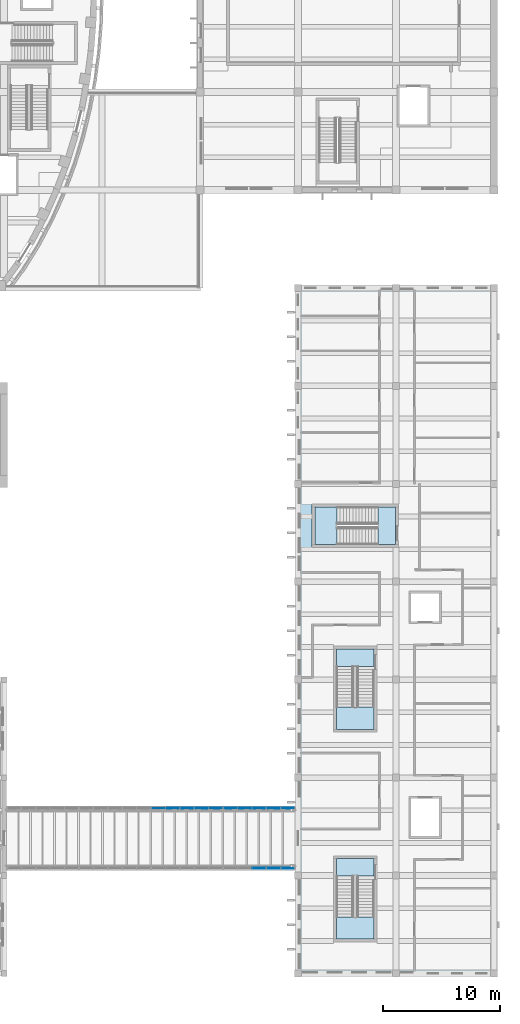
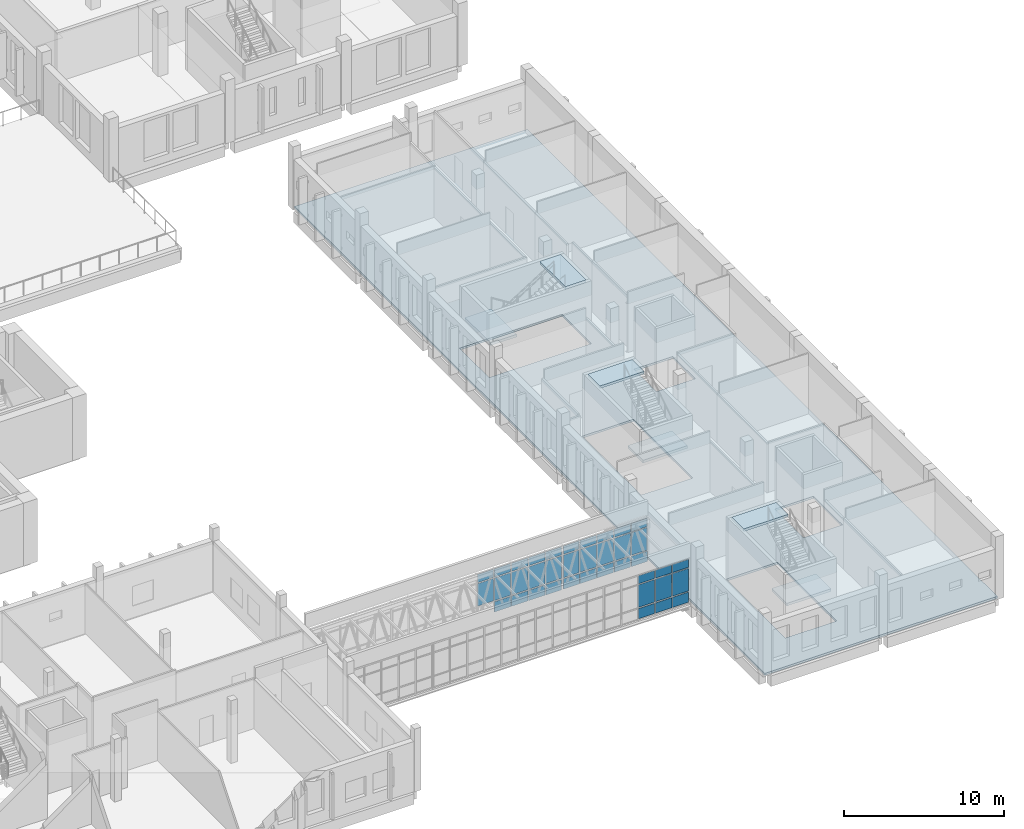
# One storey, part 45 of 119: 38 plates, 7 slabs, 6 elements without a shape of their own.
"""IFC4 building model written with IfcOpenShell, lengths in metres."""

from ifc_helpers import new_model, si_unit, direction, frame, origin, origin_2d, place, context, subcontext, project, spatial, polyline, rectangle, outline, extrude, material, layer, layer_set, type_object, element, aggregate, save


model = new_model("IFC4")

# Units and contexts
model_context = context("Model", 3, precision=1e-05, world=origin(), true_north=direction((0.0, 1.0)))
body_context = subcontext(model_context, "Body", "Model", "MODEL_VIEW")
ifc_project = project(units=[si_unit("LENGTHUNIT", "METRE"), si_unit("AREAUNIT", "SQUARE_METRE"), si_unit("VOLUMEUNIT", "CUBIC_METRE"), si_unit("PLANEANGLEUNIT", "RADIAN"), si_unit("MASSUNIT", "GRAM", prefix="KILO")], contexts=[model_context])

# Site, building, storey
site_placement = place(None, origin())
site = spatial("IfcSite", under=ifc_project, at=site_placement, CompositionType="ELEMENT")
building_placement = place(site_placement, origin())
building = spatial("IfcBuilding", under=site, at=building_placement, Name="Larchfold Concert Hall", CompositionType="ELEMENT")
storey_placement = place(building_placement, frame((0.0, 0.0, 4.800048828125)))
storey = spatial("IfcBuildingStorey", under=building, at=storey_placement, Name="L01", CompositionType="ELEMENT", Elevation=4.800048828125)

# Curtain wall, plates
ifc_material_1 = material(Name="Anodised graphite aluminium curtain wall", Category="aluminium")
ifc_layer_1 = layer(ifc_material_1, 0.14990234375)
ifc_layer_set_1 = layer_set([ifc_layer_1], Name="Anodised graphite aluminium curtain wall")
curtain_wall_type = type_object("IfcCurtainWallType", Name="Curtain wall WG", PredefinedType="NOTDEFINED", material=ifc_layer_set_1)
curtain_wall_1_placement = place(storey_placement, origin())
curtain_wall_1 = element("IfcCurtainWall", 1, at=curtain_wall_1_placement, inside=storey, type_object=curtain_wall_type, Name="Curtain wall CW0306", PredefinedType="NOTDEFINED")
ifc_material_2 = material(Name="Insulated glazing unit, glass", Category="glass")
ifc_layer_2 = layer(ifc_material_2, 0.028076171875)
ifc_layer_set_2 = layer_set([ifc_layer_2], Name="Insulated glazing unit, glass")
plate_type_1 = type_object("IfcPlateType", Name="Glass panel 28", PredefinedType="CURTAIN_PANEL", material=ifc_layer_set_2)
plate_1_placement = place(storey_placement, frame((81.255615234375, 9.626708984375, 0.93994140625), z_axis=(0.0, 0.0, 1.0), x_axis=(1.0, 0.0, 0.0)))
plate_1 = element("IfcPlate", 2, at=plate_1_placement, type_object=plate_type_1, Name="CW0306 panel 3.2", PredefinedType="CURTAIN_PANEL", context=body_context, shape_type="SweptSolid", body=[
    extrude(rectangle(XDim=1.17578125, YDim=0.028076171875, at=origin_2d()), origin(), (0.0, 0.0, 1.0), 1.719970703125),
])
plate_2_placement = place(storey_placement, frame((81.255615234375, 9.626708984375, 2.740234375), z_axis=(0.0, 0.0, 1.0), x_axis=(1.0, 0.0, 0.0)))
plate_2 = element("IfcPlate", 3, at=plate_2_placement, type_object=plate_type_1, Name="CW0306 panel 3.3", PredefinedType="CURTAIN_PANEL", context=body_context, shape_type="SweptSolid", body=[
    extrude(rectangle(XDim=1.17578125, YDim=0.028076171875, at=origin_2d()), origin(), (0.0, 0.0, 1.0), 0.619873046875),
])
plate_3_placement = place(storey_placement, frame((82.491455078125, 9.626708984375, 0.93994140625), z_axis=(0.0, 0.0, 1.0), x_axis=(1.0, 0.0, 0.0)))
plate_3 = element("IfcPlate", 4, at=plate_3_placement, type_object=plate_type_1, Name="CW0306 panel 4.2", PredefinedType="CURTAIN_PANEL", context=body_context, shape_type="SweptSolid", body=[
    extrude(rectangle(XDim=1.17578125, YDim=0.028076171875, at=origin_2d()), origin(), (0.0, 0.0, 1.0), 1.719970703125),
])
plate_4_placement = place(storey_placement, frame((82.491455078125, 9.626708984375, 2.740234375), z_axis=(0.0, 0.0, 1.0), x_axis=(1.0, 0.0, 0.0)))
plate_4 = element("IfcPlate", 5, at=plate_4_placement, type_object=plate_type_1, Name="CW0306 panel 4.3", PredefinedType="CURTAIN_PANEL", context=body_context, shape_type="SweptSolid", body=[
    extrude(rectangle(XDim=1.17578125, YDim=0.028076171875, at=origin_2d()), origin(), (0.0, 0.0, 1.0), 0.619873046875),
])
plate_5_placement = place(storey_placement, frame((83.712158203125, 9.626708984375, 0.93994140625), z_axis=(0.0, 0.0, 1.0), x_axis=(1.0, 0.0, 0.0)))
plate_5 = element("IfcPlate", 6, at=plate_5_placement, type_object=plate_type_1, Name="CW0306 panel 5.2", PredefinedType="CURTAIN_PANEL", context=body_context, shape_type="SweptSolid", body=[
    extrude(rectangle(XDim=1.145751953125, YDim=0.028076171875, at=origin_2d()), origin(), (0.0, 0.0, 1.0), 1.719970703125),
])
plate_6_placement = place(storey_placement, frame((83.712158203125, 9.626708984375, 2.740234375), z_axis=(0.0, 0.0, 1.0), x_axis=(1.0, 0.0, 0.0)))
plate_6 = element("IfcPlate", 7, at=plate_6_placement, type_object=plate_type_1, Name="CW0306 panel 5.3", PredefinedType="CURTAIN_PANEL", context=body_context, shape_type="SweptSolid", body=[
    extrude(rectangle(XDim=1.145751953125, YDim=0.028076171875, at=origin_2d()), origin(), (0.0, 0.0, 1.0), 0.619873046875),
])

curtain_wall_2_placement = place(storey_placement, origin())
curtain_wall_2 = element("IfcCurtainWall", 8, at=curtain_wall_2_placement, inside=storey, type_object=curtain_wall_type, Name="Curtain wall CW0309", PredefinedType="NOTDEFINED")
plate_7_placement = place(storey_placement, frame((72.6201171875, 14.7734375, 0.93994140625), z_axis=(0.0, 0.0, 1.0), x_axis=(1.0, 0.0, 0.0)))
plate_7 = element("IfcPlate", 9, at=plate_7_placement, type_object=plate_type_1, Name="CW0309 panel 1.2", PredefinedType="CURTAIN_PANEL", context=body_context, shape_type="SweptSolid", body=[
    extrude(rectangle(XDim=1.145751953125, YDim=0.028076171875, at=origin_2d()), origin(), (0.0, 0.0, 1.0), 1.719970703125),
])
plate_8_placement = place(storey_placement, frame((72.6201171875, 14.7734375, 2.740234375), z_axis=(0.0, 0.0, 1.0), x_axis=(1.0, 0.0, 0.0)))
plate_8 = element("IfcPlate", 10, at=plate_8_placement, type_object=plate_type_1, Name="CW0309 panel 1.3", PredefinedType="CURTAIN_PANEL", context=body_context, shape_type="SweptSolid", body=[
    extrude(rectangle(XDim=1.145751953125, YDim=0.028076171875, at=origin_2d()), origin(), (0.0, 0.0, 1.0), 0.619873046875),
])
plate_9_placement = place(storey_placement, frame((73.841064453125, 14.7734375, 0.93994140625), z_axis=(0.0, 0.0, 1.0), x_axis=(1.0, 0.0, 0.0)))
plate_9 = element("IfcPlate", 11, at=plate_9_placement, type_object=plate_type_1, Name="CW0309 panel 2.2", PredefinedType="CURTAIN_PANEL", context=body_context, shape_type="SweptSolid", body=[
    extrude(rectangle(XDim=1.17578125, YDim=0.028076171875, at=origin_2d()), origin(), (0.0, 0.0, 1.0), 1.719970703125),
])
plate_10_placement = place(storey_placement, frame((73.841064453125, 14.7734375, 2.740234375), z_axis=(0.0, 0.0, 1.0), x_axis=(1.0, 0.0, 0.0)))
plate_10 = element("IfcPlate", 12, at=plate_10_placement, type_object=plate_type_1, Name="CW0309 panel 2.3", PredefinedType="CURTAIN_PANEL", context=body_context, shape_type="SweptSolid", body=[
    extrude(rectangle(XDim=1.17578125, YDim=0.028076171875, at=origin_2d()), origin(), (0.0, 0.0, 1.0), 0.619873046875),
])
plate_11_placement = place(storey_placement, frame((75.076904296875, 14.7734375, 0.93994140625), z_axis=(0.0, 0.0, 1.0), x_axis=(1.0, 0.0, 0.0)))
plate_11 = element("IfcPlate", 13, at=plate_11_placement, type_object=plate_type_1, Name="CW0309 panel 3.2", PredefinedType="CURTAIN_PANEL", context=body_context, shape_type="SweptSolid", body=[
    extrude(rectangle(XDim=1.17578125, YDim=0.028076171875, at=origin_2d()), origin(), (0.0, 0.0, 1.0), 1.719970703125),
])
plate_12_placement = place(storey_placement, frame((75.076904296875, 14.7734375, 2.740234375), z_axis=(0.0, 0.0, 1.0), x_axis=(1.0, 0.0, 0.0)))
plate_12 = element("IfcPlate", 14, at=plate_12_placement, type_object=plate_type_1, Name="CW0309 panel 3.3", PredefinedType="CURTAIN_PANEL", context=body_context, shape_type="SweptSolid", body=[
    extrude(rectangle(XDim=1.17578125, YDim=0.028076171875, at=origin_2d()), origin(), (0.0, 0.0, 1.0), 0.619873046875),
])
plate_13_placement = place(storey_placement, frame((76.3125, 14.7734375, 0.93994140625), z_axis=(0.0, 0.0, 1.0), x_axis=(1.0, 0.0, 0.0)))
plate_13 = element("IfcPlate", 15, at=plate_13_placement, type_object=plate_type_1, Name="CW0309 panel 4.2", PredefinedType="CURTAIN_PANEL", context=body_context, shape_type="SweptSolid", body=[
    extrude(rectangle(XDim=1.17578125, YDim=0.028076171875, at=origin_2d()), origin(), (0.0, 0.0, 1.0), 1.719970703125),
])
plate_14_placement = place(storey_placement, frame((76.3125, 14.7734375, 2.740234375), z_axis=(0.0, 0.0, 1.0), x_axis=(1.0, 0.0, 0.0)))
plate_14 = element("IfcPlate", 16, at=plate_14_placement, type_object=plate_type_1, Name="CW0309 panel 4.3", PredefinedType="CURTAIN_PANEL", context=body_context, shape_type="SweptSolid", body=[
    extrude(rectangle(XDim=1.17578125, YDim=0.028076171875, at=origin_2d()), origin(), (0.0, 0.0, 1.0), 0.619873046875),
])
plate_15_placement = place(storey_placement, frame((77.533447265625, 14.7734375, 0.93994140625), z_axis=(0.0, 0.0, 1.0), x_axis=(1.0, 0.0, 0.0)))
plate_15 = element("IfcPlate", 17, at=plate_15_placement, type_object=plate_type_1, Name="CW0309 panel 5.2", PredefinedType="CURTAIN_PANEL", context=body_context, shape_type="SweptSolid", body=[
    extrude(rectangle(XDim=1.145751953125, YDim=0.028076171875, at=origin_2d()), origin(), (0.0, 0.0, 1.0), 1.719970703125),
])
plate_16_placement = place(storey_placement, frame((77.533447265625, 14.7734375, 2.740234375), z_axis=(0.0, 0.0, 1.0), x_axis=(1.0, 0.0, 0.0)))
plate_16 = element("IfcPlate", 18, at=plate_16_placement, type_object=plate_type_1, Name="CW0309 panel 5.3", PredefinedType="CURTAIN_PANEL", context=body_context, shape_type="SweptSolid", body=[
    extrude(rectangle(XDim=1.145751953125, YDim=0.028076171875, at=origin_2d()), origin(), (0.0, 0.0, 1.0), 0.619873046875),
])

curtain_wall_3_placement = place(storey_placement, origin())
curtain_wall_3 = element("IfcCurtainWall", 19, at=curtain_wall_3_placement, inside=storey, type_object=curtain_wall_type, Name="Curtain wall CW0310", PredefinedType="NOTDEFINED")
plate_17_placement = place(storey_placement, frame((78.799072265625, 14.7734375, 0.93994140625), z_axis=(0.0, 0.0, 1.0), x_axis=(1.0, 0.0, 0.0)))
plate_17 = element("IfcPlate", 20, at=plate_17_placement, type_object=plate_type_1, Name="CW0310 panel 1.2", PredefinedType="CURTAIN_PANEL", context=body_context, shape_type="SweptSolid", body=[
    extrude(rectangle(XDim=1.145751953125, YDim=0.028076171875, at=origin_2d()), origin(), (0.0, 0.0, 1.0), 1.719970703125),
])
plate_18_placement = place(storey_placement, frame((78.799072265625, 14.7734375, 2.740234375), z_axis=(0.0, 0.0, 1.0), x_axis=(1.0, 0.0, 0.0)))
plate_18 = element("IfcPlate", 21, at=plate_18_placement, type_object=plate_type_1, Name="CW0310 panel 1.3", PredefinedType="CURTAIN_PANEL", context=body_context, shape_type="SweptSolid", body=[
    extrude(rectangle(XDim=1.145751953125, YDim=0.028076171875, at=origin_2d()), origin(), (0.0, 0.0, 1.0), 0.619873046875),
])
plate_19_placement = place(storey_placement, frame((80.019775390625, 14.7734375, 0.93994140625), z_axis=(0.0, 0.0, 1.0), x_axis=(1.0, 0.0, 0.0)))
plate_19 = element("IfcPlate", 22, at=plate_19_placement, type_object=plate_type_1, Name="CW0310 panel 2.2", PredefinedType="CURTAIN_PANEL", context=body_context, shape_type="SweptSolid", body=[
    extrude(rectangle(XDim=1.17578125, YDim=0.028076171875, at=origin_2d()), origin(), (0.0, 0.0, 1.0), 1.719970703125),
])
plate_20_placement = place(storey_placement, frame((80.019775390625, 14.7734375, 2.740234375), z_axis=(0.0, 0.0, 1.0), x_axis=(1.0, 0.0, 0.0)))
plate_20 = element("IfcPlate", 23, at=plate_20_placement, type_object=plate_type_1, Name="CW0310 panel 2.3", PredefinedType="CURTAIN_PANEL", context=body_context, shape_type="SweptSolid", body=[
    extrude(rectangle(XDim=1.17578125, YDim=0.028076171875, at=origin_2d()), origin(), (0.0, 0.0, 1.0), 0.619873046875),
])
plate_21_placement = place(storey_placement, frame((81.255615234375, 14.7734375, 0.93994140625), z_axis=(0.0, 0.0, 1.0), x_axis=(1.0, 0.0, 0.0)))
plate_21 = element("IfcPlate", 24, at=plate_21_placement, type_object=plate_type_1, Name="CW0310 panel 3.2", PredefinedType="CURTAIN_PANEL", context=body_context, shape_type="SweptSolid", body=[
    extrude(rectangle(XDim=1.17578125, YDim=0.028076171875, at=origin_2d()), origin(), (0.0, 0.0, 1.0), 1.719970703125),
])
plate_22_placement = place(storey_placement, frame((81.255615234375, 14.7734375, 2.740234375), z_axis=(0.0, 0.0, 1.0), x_axis=(1.0, 0.0, 0.0)))
plate_22 = element("IfcPlate", 25, at=plate_22_placement, type_object=plate_type_1, Name="CW0310 panel 3.3", PredefinedType="CURTAIN_PANEL", context=body_context, shape_type="SweptSolid", body=[
    extrude(rectangle(XDim=1.17578125, YDim=0.028076171875, at=origin_2d()), origin(), (0.0, 0.0, 1.0), 0.619873046875),
])
plate_23_placement = place(storey_placement, frame((82.491455078125, 14.7734375, 0.93994140625), z_axis=(0.0, 0.0, 1.0), x_axis=(1.0, 0.0, 0.0)))
plate_23 = element("IfcPlate", 26, at=plate_23_placement, type_object=plate_type_1, Name="CW0310 panel 4.2", PredefinedType="CURTAIN_PANEL", context=body_context, shape_type="SweptSolid", body=[
    extrude(rectangle(XDim=1.17578125, YDim=0.028076171875, at=origin_2d()), origin(), (0.0, 0.0, 1.0), 1.719970703125),
])
plate_24_placement = place(storey_placement, frame((82.491455078125, 14.7734375, 2.740234375), z_axis=(0.0, 0.0, 1.0), x_axis=(1.0, 0.0, 0.0)))
plate_24 = element("IfcPlate", 27, at=plate_24_placement, type_object=plate_type_1, Name="CW0310 panel 4.3", PredefinedType="CURTAIN_PANEL", context=body_context, shape_type="SweptSolid", body=[
    extrude(rectangle(XDim=1.17578125, YDim=0.028076171875, at=origin_2d()), origin(), (0.0, 0.0, 1.0), 0.619873046875),
])
plate_25_placement = place(storey_placement, frame((83.712158203125, 14.7734375, 0.93994140625), z_axis=(0.0, 0.0, 1.0), x_axis=(1.0, 0.0, 0.0)))
plate_25 = element("IfcPlate", 28, at=plate_25_placement, type_object=plate_type_1, Name="CW0310 panel 5.2", PredefinedType="CURTAIN_PANEL", context=body_context, shape_type="SweptSolid", body=[
    extrude(rectangle(XDim=1.145751953125, YDim=0.028076171875, at=origin_2d()), origin(), (0.0, 0.0, 1.0), 1.719970703125),
])
plate_26_placement = place(storey_placement, frame((83.712158203125, 14.7734375, 2.740234375), z_axis=(0.0, 0.0, 1.0), x_axis=(1.0, 0.0, 0.0)))
plate_26 = element("IfcPlate", 29, at=plate_26_placement, type_object=plate_type_1, Name="CW0310 panel 5.3", PredefinedType="CURTAIN_PANEL", context=body_context, shape_type="SweptSolid", body=[
    extrude(rectangle(XDim=1.145751953125, YDim=0.028076171875, at=origin_2d()), origin(), (0.0, 0.0, 1.0), 0.619873046875),
])

# Plate
ifc_material_3 = material(Name="White insulated panel")
ifc_layer_3 = layer(ifc_material_3, 0.06005859375)
ifc_layer_set_3 = layer_set([ifc_layer_3], Name="White insulated panel")
plate_type_2 = type_object("IfcPlateType", Name="Insulated spandrel panel 60", PredefinedType="CURTAIN_PANEL", material=ifc_layer_set_3)
plate_27_placement = place(storey_placement, frame((81.255615234375, 9.626708984375, 0.080078125), z_axis=(0.0, 0.0, 1.0), x_axis=(1.0, 0.0, 0.0)))
plate_27 = element("IfcPlate", 30, at=plate_27_placement, type_object=plate_type_2, Name="CW0306 panel 3.1", PredefinedType="CURTAIN_PANEL", context=body_context, shape_type="SweptSolid", body=[
    extrude(rectangle(XDim=1.17578125, YDim=0.06005859375, at=origin_2d()), origin(), (0.0, 0.0, 1.0), 0.77978515625),
])

plate_28_placement = place(storey_placement, frame((82.491455078125, 9.626708984375, 0.080078125), z_axis=(0.0, 0.0, 1.0), x_axis=(1.0, 0.0, 0.0)))
plate_28 = element("IfcPlate", 31, at=plate_28_placement, type_object=plate_type_2, Name="CW0306 panel 4.1", PredefinedType="CURTAIN_PANEL", context=body_context, shape_type="SweptSolid", body=[
    extrude(rectangle(XDim=1.17578125, YDim=0.06005859375, at=origin_2d()), origin(), (0.0, 0.0, 1.0), 0.77978515625),
])

plate_29_placement = place(storey_placement, frame((83.712158203125, 9.626708984375, 0.080078125), z_axis=(0.0, 0.0, 1.0), x_axis=(1.0, 0.0, 0.0)))
plate_29 = element("IfcPlate", 32, at=plate_29_placement, type_object=plate_type_2, Name="CW0306 panel 5.1", PredefinedType="CURTAIN_PANEL", context=body_context, shape_type="SweptSolid", body=[
    extrude(rectangle(XDim=1.145751953125, YDim=0.06005859375, at=origin_2d()), origin(), (0.0, 0.0, 1.0), 0.77978515625),
])

aggregate(curtain_wall_1, [plate_27, plate_1, plate_2, plate_28, plate_3, plate_4, plate_29, plate_5, plate_6])

plate_30_placement = place(storey_placement, frame((73.841064453125, 14.7734375, 0.080078125), z_axis=(0.0, 0.0, 1.0), x_axis=(1.0, 0.0, 0.0)))
plate_30 = element("IfcPlate", 33, at=plate_30_placement, type_object=plate_type_2, Name="CW0309 panel 2.1", PredefinedType="CURTAIN_PANEL", context=body_context, shape_type="SweptSolid", body=[
    extrude(rectangle(XDim=1.17578125, YDim=0.06005859375, at=origin_2d()), origin(), (0.0, 0.0, 1.0), 0.77978515625),
])

plate_31_placement = place(storey_placement, frame((75.076904296875, 14.7734375, 0.080078125), z_axis=(0.0, 0.0, 1.0), x_axis=(1.0, 0.0, 0.0)))
plate_31 = element("IfcPlate", 34, at=plate_31_placement, type_object=plate_type_2, Name="CW0309 panel 3.1", PredefinedType="CURTAIN_PANEL", context=body_context, shape_type="SweptSolid", body=[
    extrude(rectangle(XDim=1.17578125, YDim=0.06005859375, at=origin_2d()), origin(), (0.0, 0.0, 1.0), 0.77978515625),
])

plate_32_placement = place(storey_placement, frame((76.3125, 14.7734375, 0.080078125), z_axis=(0.0, 0.0, 1.0), x_axis=(1.0, 0.0, 0.0)))
plate_32 = element("IfcPlate", 35, at=plate_32_placement, type_object=plate_type_2, Name="CW0309 panel 4.1", PredefinedType="CURTAIN_PANEL", context=body_context, shape_type="SweptSolid", body=[
    extrude(rectangle(XDim=1.17578125, YDim=0.06005859375, at=origin_2d()), origin(), (0.0, 0.0, 1.0), 0.77978515625),
])

plate_33_placement = place(storey_placement, frame((77.533447265625, 14.7734375, 0.080078125), z_axis=(0.0, 0.0, 1.0), x_axis=(1.0, 0.0, 0.0)))
plate_33 = element("IfcPlate", 36, at=plate_33_placement, type_object=plate_type_2, Name="CW0309 panel 5.1", PredefinedType="CURTAIN_PANEL", context=body_context, shape_type="SweptSolid", body=[
    extrude(rectangle(XDim=1.145751953125, YDim=0.06005859375, at=origin_2d()), origin(), (0.0, 0.0, 1.0), 0.77978515625),
])

aggregate(curtain_wall_2, [plate_7, plate_8, plate_30, plate_9, plate_10, plate_31, plate_11, plate_12, plate_32, plate_13, plate_14, plate_33, plate_15, plate_16])

plate_34_placement = place(storey_placement, frame((78.799072265625, 14.7734375, 0.080078125), z_axis=(0.0, 0.0, 1.0), x_axis=(1.0, 0.0, 0.0)))
plate_34 = element("IfcPlate", 37, at=plate_34_placement, type_object=plate_type_2, Name="CW0310 panel 1.1", PredefinedType="CURTAIN_PANEL", context=body_context, shape_type="SweptSolid", body=[
    extrude(rectangle(XDim=1.145751953125, YDim=0.06005859375, at=origin_2d()), origin(), (0.0, 0.0, 1.0), 0.77978515625),
])

plate_35_placement = place(storey_placement, frame((80.019775390625, 14.7734375, 0.080078125), z_axis=(0.0, 0.0, 1.0), x_axis=(1.0, 0.0, 0.0)))
plate_35 = element("IfcPlate", 38, at=plate_35_placement, type_object=plate_type_2, Name="CW0310 panel 2.1", PredefinedType="CURTAIN_PANEL", context=body_context, shape_type="SweptSolid", body=[
    extrude(rectangle(XDim=1.17578125, YDim=0.06005859375, at=origin_2d()), origin(), (0.0, 0.0, 1.0), 0.77978515625),
])

plate_36_placement = place(storey_placement, frame((81.255615234375, 14.7734375, 0.080078125), z_axis=(0.0, 0.0, 1.0), x_axis=(1.0, 0.0, 0.0)))
plate_36 = element("IfcPlate", 39, at=plate_36_placement, type_object=plate_type_2, Name="CW0310 panel 3.1", PredefinedType="CURTAIN_PANEL", context=body_context, shape_type="SweptSolid", body=[
    extrude(rectangle(XDim=1.17578125, YDim=0.06005859375, at=origin_2d()), origin(), (0.0, 0.0, 1.0), 0.77978515625),
])

plate_37_placement = place(storey_placement, frame((82.491455078125, 14.7734375, 0.080078125), z_axis=(0.0, 0.0, 1.0), x_axis=(1.0, 0.0, 0.0)))
plate_37 = element("IfcPlate", 40, at=plate_37_placement, type_object=plate_type_2, Name="CW0310 panel 4.1", PredefinedType="CURTAIN_PANEL", context=body_context, shape_type="SweptSolid", body=[
    extrude(rectangle(XDim=1.17578125, YDim=0.06005859375, at=origin_2d()), origin(), (0.0, 0.0, 1.0), 0.77978515625),
])

plate_38_placement = place(storey_placement, frame((83.712158203125, 14.7734375, 0.080078125), z_axis=(0.0, 0.0, 1.0), x_axis=(1.0, 0.0, 0.0)))
plate_38 = element("IfcPlate", 41, at=plate_38_placement, type_object=plate_type_2, Name="CW0310 panel 5.1", PredefinedType="CURTAIN_PANEL", context=body_context, shape_type="SweptSolid", body=[
    extrude(rectangle(XDim=1.145751953125, YDim=0.06005859375, at=origin_2d()), origin(), (0.0, 0.0, 1.0), 0.77978515625),
])

aggregate(curtain_wall_3, [plate_34, plate_17, plate_18, plate_35, plate_19, plate_20, plate_36, plate_21, plate_22, plate_37, plate_23, plate_24, plate_38, plate_25, plate_26])

# Slab
ifc_material_4 = material(Name="Concrete C35/45", Category="concrete")
ifc_layer_4 = layer(ifc_material_4, 0.159912109375)
ifc_layer_set_4 = layer_set([ifc_layer_4], Name="Concrete C35/45")
slab_type_1 = type_object("IfcSlabType", Name="Slab 160", PredefinedType="FLOOR", material=ifc_layer_set_4)
slab_1_placement = place(storey_placement, frame((0.0, 0.0, -0.16015625)))
element("IfcSlab", 42, at=slab_1_placement, inside=storey, type_object=slab_type_1, Name="Slab S0002", PredefinedType="FLOOR", context=body_context, shape_type="SweptSolid", body=[
    extrude(outline(polyline([(84.60009765625, 0.60009765625), (101.39990234375, 0.60009765625), (101.39990234375, 59.39990234375), (84.60009765625, 59.39990234375), (84.60009765625, 0.60009765625)]), holes=[polyline([(87.64990234375, 3.300048828125), (87.64990234375, 10.699951171875), (91.35009765625, 10.699951171875), (91.35009765625, 3.300048828125), (87.64990234375, 3.300048828125)]), polyline([(94.10009765625, 12.199951171875), (94.10009765625, 15.800048828125), (96.89990234375, 15.800048828125), (96.89990234375, 12.199951171875), (94.10009765625, 12.199951171875)]), polyline([(87.64990234375, 21.300048828125), (87.64990234375, 28.699951171875), (91.35009765625, 28.699951171875), (91.35009765625, 21.300048828125), (87.64990234375, 21.300048828125)]), polyline([(94.10009765625, 33.39990234375), (96.89990234375, 33.39990234375), (96.89990234375, 30.60009765625), (94.10009765625, 30.60009765625), (94.10009765625, 33.39990234375)]), polyline([(85.800048828125, 40.85009765625), (93.199951171875, 40.85009765625), (93.199951171875, 37.14990234375), (85.800048828125, 37.14990234375), (85.800048828125, 40.85009765625)])]), origin(), (0.0, 0.0, 1.0), 0.16015625),
])

# Stair, slabs
ifc_material_5 = material(Name="Concrete C35/45", Category="concrete")
stair_type = type_object("IfcStairType", Name="Stair RC half-turn enclosed", PredefinedType="HALF_TURN_STAIR", material=ifc_material_5)
stair_1_placement = place(storey_placement, origin())
stair_1 = element("IfcStair", 43, at=stair_1_placement, inside=storey, type_object=stair_type, Name="Stair AW1", PredefinedType="HALF_TURN_STAIR")
ifc_material_6 = material(Name="Concrete C35/45", Category="concrete")
ifc_layer_5 = layer(ifc_material_6, 0.199951171875)
ifc_layer_set_5 = layer_set([ifc_layer_5], Name="Concrete C35/45")
slab_type_2 = type_object("IfcSlabType", Name="Stair landing RC 200", PredefinedType="LANDING", material=ifc_layer_set_5)
slab_2_placement = place(storey_placement, frame((0.0, 0.0, 2.199951171875)))
slab_2 = element("IfcSlab", 44, at=slab_2_placement, type_object=slab_type_2, Name="ST13 landing 1", PredefinedType="LANDING", context=body_context, shape_type="SweptSolid", body=[
    extrude(outline(polyline([(87.89990234375, 5.43994140625), (87.89990234375, 3.550048828125), (91.099853515625, 3.550048828125), (91.099853515625, 5.43994140625), (87.89990234375, 5.43994140625)])), origin(), (0.0, 0.0, 1.0), 0.199951171875),
])
slab_3_placement = place(storey_placement, frame((0.0, 0.0, 4.599853515625)))
slab_3 = element("IfcSlab", 45, at=slab_3_placement, type_object=slab_type_2, Name="ST13 landing 2", PredefinedType="LANDING", context=body_context, shape_type="SweptSolid", body=[
    extrude(outline(polyline([(87.89990234375, 10.449951171875), (87.89990234375, 8.949951171875), (91.10009765625, 8.949951171875), (91.10009765625, 10.449951171875), (87.89990234375, 10.449951171875)])), origin(), (0.0, 0.0, 1.0), 0.2001953125),
])
aggregate(stair_1, [slab_2, slab_3])

stair_2_placement = place(storey_placement, origin())
stair_2 = element("IfcStair", 46, at=stair_2_placement, inside=storey, type_object=stair_type, Name="Stair AW2", PredefinedType="HALF_TURN_STAIR")
slab_4_placement = place(storey_placement, frame((0.0, 0.0, 2.199951171875)))
slab_4 = element("IfcSlab", 47, at=slab_4_placement, type_object=slab_type_2, Name="ST14 landing 1", PredefinedType="LANDING", context=body_context, shape_type="SweptSolid", body=[
    extrude(outline(polyline([(87.89990234375, 23.43994140625), (87.89990234375, 21.550048828125), (91.099853515625, 21.550048828125), (91.099853515625, 23.43994140625), (87.89990234375, 23.43994140625)])), origin(), (0.0, 0.0, 1.0), 0.199951171875),
])
slab_5_placement = place(storey_placement, frame((0.0, 0.0, 4.599853515625)))
slab_5 = element("IfcSlab", 48, at=slab_5_placement, type_object=slab_type_2, Name="ST14 landing 2", PredefinedType="LANDING", context=body_context, shape_type="SweptSolid", body=[
    extrude(outline(polyline([(87.89990234375, 28.449951171875), (87.89990234375, 26.949951171875), (91.10009765625, 26.949951171875), (91.10009765625, 28.449951171875), (87.89990234375, 28.449951171875)])), origin(), (0.0, 0.0, 1.0), 0.2001953125),
])
aggregate(stair_2, [slab_4, slab_5])

stair_3_placement = place(storey_placement, origin())
stair_3 = element("IfcStair", 49, at=stair_3_placement, inside=storey, type_object=stair_type, Name="Stair AW3", PredefinedType="HALF_TURN_STAIR")
slab_6_placement = place(storey_placement, frame((0.0, 0.0, 2.199951171875)))
slab_6 = element("IfcSlab", 50, at=slab_6_placement, type_object=slab_type_2, Name="ST15 landing 1", PredefinedType="LANDING", context=body_context, shape_type="SweptSolid", body=[
    extrude(outline(polyline([(87.93994140625, 40.60009765625), (86.050048828125, 40.60009765625), (86.050048828125, 37.400146484375), (87.93994140625, 37.400146484375), (87.93994140625, 40.60009765625)])), origin(), (0.0, 0.0, 1.0), 0.199951171875),
])
slab_7_placement = place(storey_placement, frame((0.0, 0.0, 4.599853515625)))
slab_7 = element("IfcSlab", 51, at=slab_7_placement, type_object=slab_type_2, Name="ST15 landing 2", PredefinedType="LANDING", context=body_context, shape_type="SweptSolid", body=[
    extrude(outline(polyline([(92.949951171875, 40.60009765625), (91.449951171875, 40.60009765625), (91.449951171875, 37.39990234375), (92.949951171875, 37.39990234375), (92.949951171875, 40.60009765625)])), origin(), (0.0, 0.0, 1.0), 0.2001953125),
])
aggregate(stair_3, [slab_6, slab_7])

save(model, "model.ifc")
